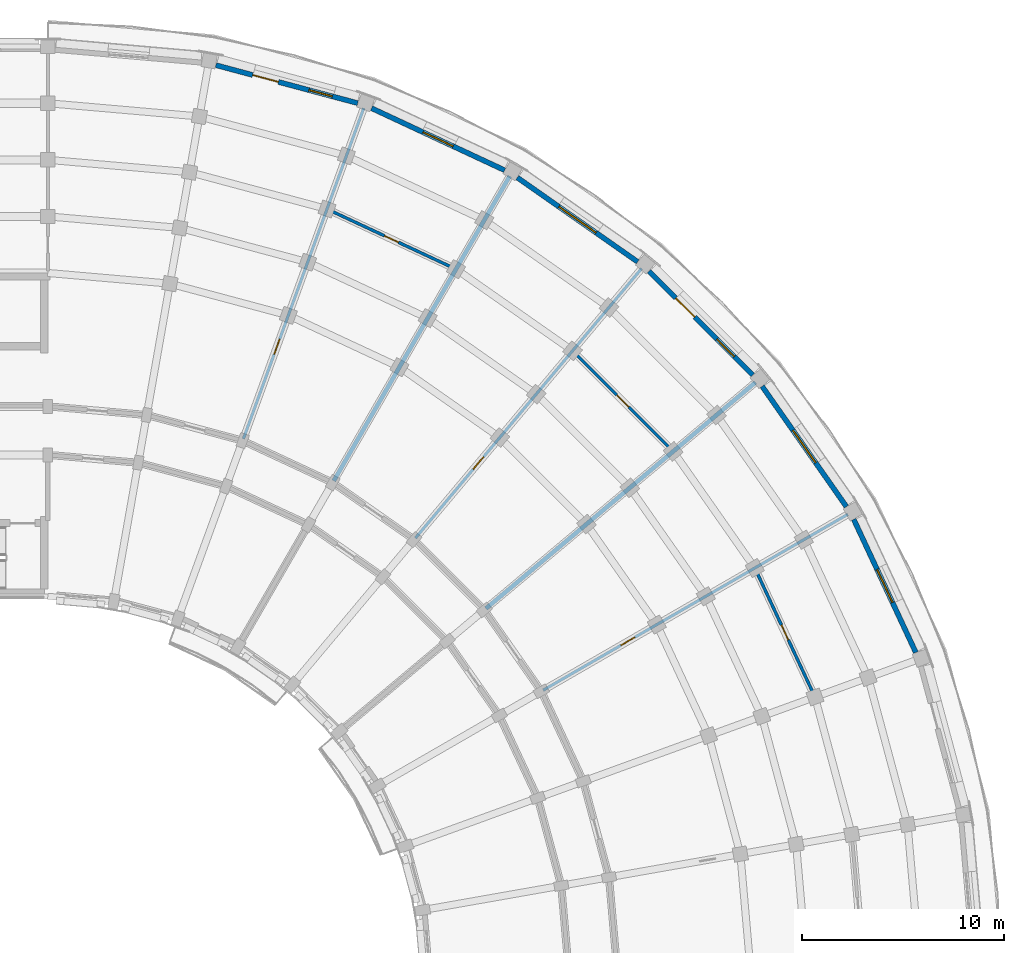
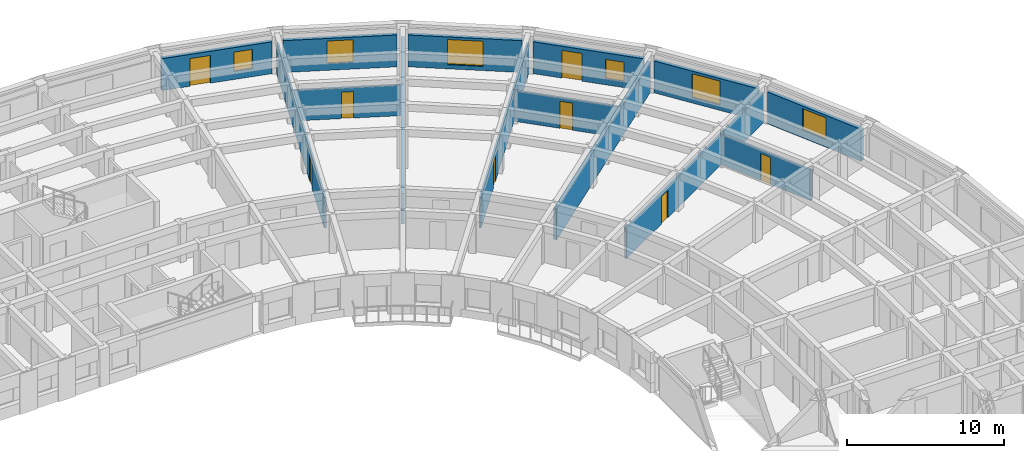
# One storey, part 36 of 57: 14 walls, 8 doors, 6 windows, 14 openings.
"""IFC4 building model written with IfcOpenShell, lengths in metres."""

from ifc_helpers import new_model, si_unit, direction, frame, frame_2d, origin, place, context, subcontext, project, spatial, rectangle, extrude, material, layer, layer_set, type_object, element, fill, save


model = new_model("IFC4")

# Units and contexts
model_context = context("Model", 3, precision=1e-05, world=origin(), true_north=direction((0.0, 1.0)))
body_context = subcontext(model_context, "Body", "Model", "MODEL_VIEW")
ifc_project = project(units=[si_unit("LENGTHUNIT", "METRE"), si_unit("AREAUNIT", "SQUARE_METRE"), si_unit("VOLUMEUNIT", "CUBIC_METRE"), si_unit("PLANEANGLEUNIT", "RADIAN"), si_unit("MASSUNIT", "GRAM", prefix="KILO")], contexts=[model_context])

# Site, building, storey
site_placement = place(None, origin())
site = spatial("IfcSite", under=ifc_project, at=site_placement, CompositionType="ELEMENT")
building_placement = place(site_placement, origin())
building = spatial("IfcBuilding", under=site, at=building_placement, Name="Kiranvali Square Residences", CompositionType="ELEMENT")
storey_placement = place(building_placement, frame((0.0, 0.0, 21.300048828125)))
storey = spatial("IfcBuildingStorey", under=building, at=storey_placement, Name="L06", CompositionType="ELEMENT", Elevation=21.300048828125)

# Walls
ifc_material_1 = material(Name="Autoclaved aerated concrete blockwork masonry", Category="masonry")
ifc_layer_1 = layer(ifc_material_1, 0.219970703125)
ifc_layer_set_1 = layer_set([ifc_layer_1], Name="Autoclaved aerated concrete blockwork masonry")
wall_type_1 = type_object("IfcWallType", Name="WL-DEM-220", PredefinedType="STANDARD", material=ifc_layer_set_1)
for number, where, z_axis, x_axis, name in (
    (1, (133.949951171875, 112.30859375, 0.0), (0.0, 0.0, 1.0), (0.499997843263, 0.866026648973, 0.0), "L06 architectural wall WL-L06-B-RADO-3"),
    (2, (141.47900390625, 105.990966796875, 0.0), (0.0, 0.0, 1.0), (0.766046835987, 0.642784757967, 0.0), "L06 architectural wall WL-L06-B-RADO-5"),
):
    element("IfcWall", number, at=place(storey_placement, frame(where, z_axis=z_axis, x_axis=x_axis)), inside=storey, type_object=wall_type_1, Name=name, PredefinedType="STANDARD", context=body_context, shape_type="SweptSolid", body=[
        extrude(rectangle(XDim=17.419921875, YDim=0.219970703125, at=frame_2d((8.7099609375, 0.0))), origin(), (0.0, 0.0, 1.0), 2.3720703125),
    ])

# Wall, openings, door, window
ifc_material_2 = material(Name="Breathable lime-rendered clay brick masonry", Category="masonry")
ifc_layer_2 = layer(ifc_material_2, 0.25)
ifc_layer_set_2 = layer_set([ifc_layer_2], Name="Breathable lime-rendered clay brick masonry")
wall_type_2 = type_object("IfcWallType", Name="WL-EXT-250", PredefinedType="STANDARD", material=ifc_layer_set_2)
wall_1_placement = place(storey_placement, frame((128.118408203125, 132.883056640625, 0.0), z_axis=(0.0, 0.0, 1.0), x_axis=(0.965930355787, -0.258802140196, 0.0)))
wall_1 = element("IfcWall", 3, at=wall_1_placement, inside=storey, type_object=wall_type_2, Name="L06 exterior wall B-L06-CRV-01", PredefinedType="STANDARD", context=body_context, shape_type="SweptSolid", body=[
    extrude(rectangle(XDim=7.2666015625, YDim=0.25, at=frame_2d((3.63330078125, 0.0))), origin(), (0.0, 0.0, 1.0), 2.471923828125),
])
opening_1_placement = place(wall_1_placement, frame((4.765625, 0.0, 0.6220703125)))
opening_1 = element("IfcOpeningElement", 4, at=opening_1_placement, cuts=wall_1, Name="Opening W-06", PredefinedType="OPENING", context=body_context, shape_type="SweptSolid", body=[
    extrude(rectangle(XDim=1.199951171875, YDim=1.5, at=frame_2d((0.60009765625, 0.75))), frame((0.0, 0.135009765625, 0.0), z_axis=(0.0, -1.0, 0.0), x_axis=(1.0, 0.0, 0.0)), (0.0, 0.0, 1.0), 0.27001953125),
])
opening_2_placement = place(wall_1_placement, frame((1.88330078125, 0.0, 0.0)))
opening_2 = element("IfcOpeningElement", 5, at=opening_2_placement, cuts=wall_1, Name="Opening ED-BAL-3", PredefinedType="OPENING", context=body_context, shape_type="SweptSolid", body=[
    extrude(rectangle(XDim=1.320068359375, YDim=2.14990234375, at=frame_2d((0.66015625, 1.074951171875))), frame((0.0, 0.135009765625, 0.0), z_axis=(0.0, -1.0, 0.0), x_axis=(1.0, 0.0, 0.0)), (0.0, 0.0, 1.0), 0.27001953125),
])
ifc_material_3 = material(Name="Anodised bronze aluminium framing", Category="aluminium")
door_type_1 = type_object("IfcDoorType", Name="DR-BAL-1320", OperationType="NOTDEFINED", PredefinedType="DOOR", material=ifc_material_3)
door_1_placement = place(opening_2_placement, origin())
door_1 = element("IfcDoor", 6, at=door_1_placement, inside=storey, type_object=door_type_1, Name="L06 balcony terrace door", OperationType="SINGLE_SWING_LEFT", OverallHeight=2.14990234375, OverallWidth=1.320068359375, PredefinedType="DOOR", context=body_context, shape_type="SweptSolid", body=[
    extrude(rectangle(XDim=1.320068359375, YDim=2.14990234375, at=frame_2d((0.66015625, 1.074951171875))), frame((0.0, 0.02490234375, 0.0), z_axis=(0.0, -1.0, 0.0), x_axis=(1.0, 0.0, 0.0)), (0.0, 0.0, 1.0), 0.050048828125),
])
fill(opening_2, door_1)
ifc_material_4 = material(Name="Solar-control low-e double glazing", Category="glass")
window_type_1 = type_object("IfcWindowType", Name="WIN-RES-1200x1500", PartitioningType="SINGLE_PANEL", PredefinedType="WINDOW", material=ifc_material_4)
window_1_placement = place(opening_1_placement, origin())
window_1 = element("IfcWindow", 7, at=window_1_placement, inside=storey, type_object=window_type_1, Name="L06 recessed window B-L06-CRV-01", OverallHeight=1.5, OverallWidth=1.199951171875, PartitioningType="SINGLE_PANEL", PredefinedType="WINDOW", context=body_context, shape_type="SweptSolid", body=[
    extrude(rectangle(XDim=1.199951171875, YDim=1.5, at=frame_2d((0.60009765625, 0.75))), frame((0.0, 0.030029296875, 0.0), z_axis=(0.0, -1.0, 0.0), x_axis=(1.0, 0.0, 0.0)), (0.0, 0.0, 1.0), 0.06005859375),
])
fill(opening_1, window_1)

# Wall, opening, window
wall_2_placement = place(storey_placement, frame((135.82080078125, 130.753662109375, 0.0), z_axis=(0.0, 0.0, 1.0), x_axis=(0.90630327107, -0.422627946127, 0.0)))
wall_2 = element("IfcWall", 8, at=wall_2_placement, inside=storey, type_object=wall_type_2, Name="L06 exterior wall B-L06-CRV-02", PredefinedType="STANDARD", context=body_context, shape_type="SweptSolid", body=[
    extrude(rectangle(XDim=7.2666015625, YDim=0.25, at=frame_2d((3.63330078125, 0.0))), origin(), (0.0, 0.0, 1.0), 2.471923828125),
])
opening_3_placement = place(wall_2_placement, frame((2.808349609375, 0.0, 0.52197265625)))
opening_3 = element("IfcOpeningElement", 9, at=opening_3_placement, cuts=wall_2, Name="Opening W-13", PredefinedType="OPENING", context=body_context, shape_type="SweptSolid", body=[
    extrude(rectangle(XDim=1.64990234375, YDim=1.75, at=frame_2d((0.824951171875, 0.875))), frame((0.0, 0.135009765625, 0.0), z_axis=(0.0, -1.0, 0.0), x_axis=(1.0, 0.0, 0.0)), (0.0, 0.0, 1.0), 0.27001953125),
])
window_type_2 = type_object("IfcWindowType", Name="WIN-RES-1650x1750", PartitioningType="DOUBLE_PANEL_VERTICAL", PredefinedType="WINDOW", material=ifc_material_4)
window_2_placement = place(opening_3_placement, origin())
window_2 = element("IfcWindow", 10, at=window_2_placement, inside=storey, type_object=window_type_2, Name="L06 recessed window B-L06-CRV-02", OverallHeight=1.75, OverallWidth=1.64990234375, PartitioningType="DOUBLE_PANEL_VERTICAL", PredefinedType="WINDOW", context=body_context, shape_type="SweptSolid", body=[
    extrude(rectangle(XDim=1.64990234375, YDim=1.75, at=frame_2d((0.824951171875, 0.875))), frame((0.0, 0.030029296875, 0.0), z_axis=(0.0, -1.0, 0.0), x_axis=(1.0, 0.0, 0.0)), (0.0, 0.0, 1.0), 0.06005859375),
])
fill(opening_3, window_2)

wall_3_placement = place(storey_placement, frame((143.0361328125, 127.319091796875, 0.0), z_axis=(0.0, 0.0, 1.0), x_axis=(0.819159308599, -0.573566061701, 0.0)))
wall_3 = element("IfcWall", 11, at=wall_3_placement, inside=storey, type_object=wall_type_2, Name="L06 exterior wall B-L06-CRV-03", PredefinedType="STANDARD", context=body_context, shape_type="SweptSolid", body=[
    extrude(rectangle(XDim=7.266845703125, YDim=0.25, at=frame_2d((3.63330078125, 0.0))), origin(), (0.0, 0.0, 1.0), 2.471923828125),
])
opening_4_placement = place(wall_3_placement, frame((2.50830078125, 0.0, 0.322021484375)))
opening_4 = element("IfcOpeningElement", 12, at=opening_4_placement, cuts=wall_3, Name="Opening W-11", PredefinedType="OPENING", context=body_context, shape_type="SweptSolid", body=[
    extrude(rectangle(XDim=2.25, YDim=1.949951171875, at=frame_2d((1.125, 0.97509765625))), frame((0.0, 0.135009765625, 0.0), z_axis=(0.0, -1.0, 0.0), x_axis=(1.0, 0.0, 0.0)), (0.0, 0.0, 1.0), 0.27001953125),
])
window_type_3 = type_object("IfcWindowType", Name="WIN-RES-2250x1950", PartitioningType="TRIPLE_PANEL_VERTICAL", PredefinedType="WINDOW", material=ifc_material_4)
window_3_placement = place(opening_4_placement, origin())
window_3 = element("IfcWindow", 13, at=window_3_placement, inside=storey, type_object=window_type_3, Name="L06 recessed window B-L06-CRV-03", OverallHeight=1.949951171875, OverallWidth=2.25, PartitioningType="TRIPLE_PANEL_VERTICAL", PredefinedType="WINDOW", context=body_context, shape_type="SweptSolid", body=[
    extrude(rectangle(XDim=2.25, YDim=1.949951171875, at=frame_2d((1.125, 0.97509765625))), frame((0.0, 0.030029296875, 0.0), z_axis=(0.0, -1.0, 0.0), x_axis=(1.0, 0.0, 0.0)), (0.0, 0.0, 1.0), 0.06005859375),
])
fill(opening_4, window_3)

# Wall, openings, door, window
wall_4_placement = place(storey_placement, frame((149.545654296875, 122.683837890625, 0.0), z_axis=(0.0, 0.0, 1.0), x_axis=(0.707106781187, -0.707106781187, 0.0)))
wall_4 = element("IfcWall", 14, at=wall_4_placement, inside=storey, type_object=wall_type_2, Name="L06 exterior wall B-L06-CRV-04", PredefinedType="STANDARD", context=body_context, shape_type="SweptSolid", body=[
    extrude(rectangle(XDim=7.2666015625, YDim=0.25, at=frame_2d((3.63330078125, 0.0))), origin(), (0.0, 0.0, 1.0), 2.471923828125),
])
opening_5_placement = place(wall_4_placement, frame((4.765625, 0.0, 0.471923828125)))
opening_5 = element("IfcOpeningElement", 15, at=opening_5_placement, cuts=wall_4, Name="Opening W-06", PredefinedType="OPENING", context=body_context, shape_type="SweptSolid", body=[
    extrude(rectangle(XDim=1.199951171875, YDim=1.5, at=frame_2d((0.60009765625, 0.75))), frame((0.0, 0.135009765625, 0.0), z_axis=(0.0, -1.0, 0.0), x_axis=(1.0, 0.0, 0.0)), (0.0, 0.0, 1.0), 0.27001953125),
])
opening_6_placement = place(wall_4_placement, frame((1.88330078125, 0.0, 0.0)))
opening_6 = element("IfcOpeningElement", 16, at=opening_6_placement, cuts=wall_4, Name="Opening ED-BAL-3", PredefinedType="OPENING", context=body_context, shape_type="SweptSolid", body=[
    extrude(rectangle(XDim=1.320068359375, YDim=2.14990234375, at=frame_2d((0.66015625, 1.074951171875))), frame((0.0, 0.135009765625, 0.0), z_axis=(0.0, -1.0, 0.0), x_axis=(1.0, 0.0, 0.0)), (0.0, 0.0, 1.0), 0.27001953125),
])
door_2_placement = place(opening_6_placement, origin())
door_2 = element("IfcDoor", 17, at=door_2_placement, inside=storey, type_object=door_type_1, Name="L06 balcony terrace door", OperationType="SINGLE_SWING_RIGHT", OverallHeight=2.14990234375, OverallWidth=1.320068359375, PredefinedType="DOOR", context=body_context, shape_type="SweptSolid", body=[
    extrude(rectangle(XDim=1.320068359375, YDim=2.14990234375, at=frame_2d((0.66015625, 1.074951171875))), frame((0.0, 0.02490234375, 0.0), z_axis=(0.0, -1.0, 0.0), x_axis=(1.0, 0.0, 0.0)), (0.0, 0.0, 1.0), 0.050048828125),
])
fill(opening_6, door_2)
window_4_placement = place(opening_5_placement, origin())
window_4 = element("IfcWindow", 18, at=window_4_placement, inside=storey, type_object=window_type_1, Name="L06 recessed window B-L06-CRV-04", OverallHeight=1.5, OverallWidth=1.199951171875, PartitioningType="SINGLE_PANEL", PredefinedType="WINDOW", context=body_context, shape_type="SweptSolid", body=[
    extrude(rectangle(XDim=1.199951171875, YDim=1.5, at=frame_2d((0.60009765625, 0.75))), frame((0.0, 0.030029296875, 0.0), z_axis=(0.0, -1.0, 0.0), x_axis=(1.0, 0.0, 0.0)), (0.0, 0.0, 1.0), 0.06005859375),
])
fill(opening_5, window_4)

# Wall, opening, window
wall_5_placement = place(storey_placement, frame((155.151123046875, 116.98876953125, 0.0), z_axis=(0.0, 0.0, 1.0), x_axis=(0.573566061701, -0.819159308599, 0.0)))
wall_5 = element("IfcWall", 19, at=wall_5_placement, inside=storey, type_object=wall_type_2, Name="L06 exterior wall B-L06-CRV-05", PredefinedType="STANDARD", context=body_context, shape_type="SweptSolid", body=[
    extrude(rectangle(XDim=7.266845703125, YDim=0.25, at=frame_2d((3.63330078125, 0.0))), origin(), (0.0, 0.0, 1.0), 2.471923828125),
])
opening_7_placement = place(wall_5_placement, frame((2.658447265625, 0.0, 0.422119140625)))
opening_7 = element("IfcOpeningElement", 20, at=opening_7_placement, cuts=wall_5, Name="Opening W-12", PredefinedType="OPENING", context=body_context, shape_type="SweptSolid", body=[
    extrude(rectangle(XDim=1.949951171875, YDim=1.85009765625, at=frame_2d((0.97509765625, 0.925048828125))), frame((0.0, 0.135009765625, 0.0), z_axis=(0.0, -1.0, 0.0), x_axis=(1.0, 0.0, 0.0)), (0.0, 0.0, 1.0), 0.27001953125),
])
window_type_4 = type_object("IfcWindowType", Name="WIN-RES-1950x1850", PartitioningType="DOUBLE_PANEL_VERTICAL", PredefinedType="WINDOW", material=ifc_material_4)
window_5_placement = place(opening_7_placement, origin())
window_5 = element("IfcWindow", 21, at=window_5_placement, inside=storey, type_object=window_type_4, Name="L06 recessed window B-L06-CRV-05", OverallHeight=1.85009765625, OverallWidth=1.949951171875, PartitioningType="DOUBLE_PANEL_VERTICAL", PredefinedType="WINDOW", context=body_context, shape_type="SweptSolid", body=[
    extrude(rectangle(XDim=1.949951171875, YDim=1.85009765625, at=frame_2d((0.97509765625, 0.925048828125))), frame((0.0, 0.030029296875, 0.0), z_axis=(0.0, -1.0, 0.0), x_axis=(1.0, 0.0, 0.0)), (0.0, 0.0, 1.0), 0.06005859375),
])
fill(opening_7, window_5)

wall_6_placement = place(storey_placement, frame((159.6826171875, 110.406494140625, 0.0), z_axis=(0.0, 0.0, 1.0), x_axis=(0.422627946127, -0.90630327107, 0.0)))
wall_6 = element("IfcWall", 22, at=wall_6_placement, inside=storey, type_object=wall_type_2, Name="L06 exterior wall B-L06-CRV-06", PredefinedType="STANDARD", context=body_context, shape_type="SweptSolid", body=[
    extrude(rectangle(XDim=7.2666015625, YDim=0.25, at=frame_2d((3.63330078125, 0.0))), origin(), (0.0, 0.0, 1.0), 2.471923828125),
])
opening_8_placement = place(wall_6_placement, frame((2.7333984375, 0.0, 0.6220703125)))
opening_8 = element("IfcOpeningElement", 23, at=opening_8_placement, cuts=wall_6, Name="Opening W-04", PredefinedType="OPENING", context=body_context, shape_type="SweptSolid", body=[
    extrude(rectangle(XDim=1.800048828125, YDim=1.64990234375, at=frame_2d((0.89990234375, 0.824951171875))), frame((0.0, 0.135009765625, 0.0), z_axis=(0.0, -1.0, 0.0), x_axis=(1.0, 0.0, 0.0)), (0.0, 0.0, 1.0), 0.27001953125),
])
window_type_5 = type_object("IfcWindowType", Name="WIN-RES-1800x1650", PartitioningType="DOUBLE_PANEL_VERTICAL", PredefinedType="WINDOW", material=ifc_material_4)
window_6_placement = place(opening_8_placement, origin())
window_6 = element("IfcWindow", 24, at=window_6_placement, inside=storey, type_object=window_type_5, Name="L06 recessed window B-L06-CRV-06", OverallHeight=1.64990234375, OverallWidth=1.800048828125, PartitioningType="DOUBLE_PANEL_VERTICAL", PredefinedType="WINDOW", context=body_context, shape_type="SweptSolid", body=[
    extrude(rectangle(XDim=1.800048828125, YDim=1.64990234375, at=frame_2d((0.89990234375, 0.824951171875))), frame((0.0, 0.030029296875, 0.0), z_axis=(0.0, -1.0, 0.0), x_axis=(1.0, 0.0, 0.0)), (0.0, 0.0, 1.0), 0.06005859375),
])
fill(opening_8, window_6)

# Wall, opening, door
ifc_material_5 = material(Name="Acoustic gypsum board drylined partition", Category="gypsum")
ifc_layer_3 = layer(ifc_material_5, 0.14990234375)
ifc_layer_set_3 = layer_set([ifc_layer_3], Name="Acoustic gypsum board drylined partition")
wall_type_3 = type_object("IfcWallType", Name="WL-PRT-150", PredefinedType="PARTITIONING", material=ifc_layer_set_3)
wall_7_placement = place(storey_placement, frame((129.479248046875, 114.393310546875, 0.0), z_axis=(0.0, 0.0, 1.0), x_axis=(0.342022120477, 0.939691901159, 0.0)))
wall_7 = element("IfcWall", 25, at=wall_7_placement, inside=storey, type_object=wall_type_3, Name="L06 architectural wall WL-L06-B-RADO-2", PredefinedType="PARTITIONING", context=body_context, shape_type="SweptSolid", body=[
    extrude(rectangle(XDim=17.419921875, YDim=0.14990234375, at=frame_2d((8.7099609375, 0.0))), origin(), (0.0, 0.0, 1.0), 2.3720703125),
])
opening_9_placement = place(wall_7_placement, frame((4.44970703125, 0.0, 0.0)))
opening_9 = element("IfcOpeningElement", 26, at=opening_9_placement, cuts=wall_7, Name="Opening ID-WET", PredefinedType="OPENING", context=body_context, shape_type="SweptSolid", body=[
    extrude(rectangle(XDim=0.800048828125, YDim=2.10009765625, at=frame_2d((0.39990234375, 1.050048828125))), frame((0.0, 0.0849609375, 0.0), z_axis=(0.0, -1.0, 0.0), x_axis=(1.0, 0.0, 0.0)), (0.0, 0.0, 1.0), 0.169921875),
])
ifc_material_6 = material(Name="Solid seasoned teak hardwood joinery", Category="wood")
door_type_2 = type_object("IfcDoorType", Name="DR-WET-800", OperationType="NOTDEFINED", PredefinedType="DOOR", material=ifc_material_6)
door_3_placement = place(opening_9_placement, frame((0.800048828125, 0.0, 0.0), z_axis=(0.0, 0.0, 1.0), x_axis=(-1.0, 0.0, 0.0)))
door_3 = element("IfcDoor", 27, at=door_3_placement, inside=storey, type_object=door_type_2, Name="L06 door DR-L06-1354 (DR-WET-800)", OperationType="SINGLE_SWING_RIGHT", OverallHeight=2.10009765625, OverallWidth=0.800048828125, PredefinedType="DOOR", context=body_context, shape_type="SweptSolid", body=[
    extrude(rectangle(XDim=0.800048828125, YDim=2.10009765625, at=frame_2d((0.39990234375, 1.050048828125))), frame((0.0, 0.02490234375, 0.0), z_axis=(0.0, -1.0, 0.0), x_axis=(1.0, 0.0, 0.0)), (0.0, 0.0, 1.0), 0.050048828125),
])
fill(opening_9, door_3)

wall_8_placement = place(storey_placement, frame((137.990966796875, 109.47900390625, 0.0), z_axis=(0.0, 0.0, 1.0), x_axis=(0.642784757967, 0.766046835987, 0.0)))
wall_8 = element("IfcWall", 28, at=wall_8_placement, inside=storey, type_object=wall_type_3, Name="L06 architectural wall WL-L06-B-RADO-4", PredefinedType="PARTITIONING", context=body_context, shape_type="SweptSolid", body=[
    extrude(rectangle(XDim=17.419921875, YDim=0.14990234375, at=frame_2d((8.7099609375, 0.0))), origin(), (0.0, 0.0, 1.0), 2.3720703125),
])
opening_10_placement = place(wall_8_placement, frame((4.44970703125, 0.0, 0.0)))
opening_10 = element("IfcOpeningElement", 29, at=opening_10_placement, cuts=wall_8, Name="Opening ID-WET", PredefinedType="OPENING", context=body_context, shape_type="SweptSolid", body=[
    extrude(rectangle(XDim=0.800048828125, YDim=2.10009765625, at=frame_2d((0.39990234375, 1.050048828125))), frame((0.0, 0.0849609375, 0.0), z_axis=(0.0, -1.0, 0.0), x_axis=(1.0, 0.0, 0.0)), (0.0, 0.0, 1.0), 0.169921875),
])
door_4_placement = place(opening_10_placement, origin())
door_4 = element("IfcDoor", 30, at=door_4_placement, inside=storey, type_object=door_type_2, Name="L06 door DR-L06-1355 (DR-WET-800)", OperationType="SINGLE_SWING_LEFT", OverallHeight=2.10009765625, OverallWidth=0.800048828125, PredefinedType="DOOR", context=body_context, shape_type="SweptSolid", body=[
    extrude(rectangle(XDim=0.800048828125, YDim=2.10009765625, at=frame_2d((0.39990234375, 1.050048828125))), frame((0.0, 0.02490234375, 0.0), z_axis=(0.0, -1.0, 0.0), x_axis=(1.0, 0.0, 0.0)), (0.0, 0.0, 1.0), 0.050048828125),
])
fill(opening_10, door_4)

wall_9_placement = place(storey_placement, frame((144.30859375, 101.949951171875, 0.0), z_axis=(0.0, 0.0, 1.0), x_axis=(0.866026648973, 0.499997843263, 0.0)))
wall_9 = element("IfcWall", 31, at=wall_9_placement, inside=storey, type_object=wall_type_3, Name="L06 architectural wall WL-L06-B-RADO-6", PredefinedType="PARTITIONING", context=body_context, shape_type="SweptSolid", body=[
    extrude(rectangle(XDim=17.419921875, YDim=0.14990234375, at=frame_2d((8.7099609375, 0.0))), origin(), (0.0, 0.0, 1.0), 2.3720703125),
])
opening_11_placement = place(wall_9_placement, frame((4.44970703125, 0.0, 0.0)))
opening_11 = element("IfcOpeningElement", 32, at=opening_11_placement, cuts=wall_9, Name="Opening ID-WET", PredefinedType="OPENING", context=body_context, shape_type="SweptSolid", body=[
    extrude(rectangle(XDim=0.800048828125, YDim=2.10009765625, at=frame_2d((0.39990234375, 1.050048828125))), frame((0.0, 0.0849609375, 0.0), z_axis=(0.0, -1.0, 0.0), x_axis=(1.0, 0.0, 0.0)), (0.0, 0.0, 1.0), 0.169921875),
])
door_5_placement = place(opening_11_placement, frame((0.800048828125, 0.0, 0.0), z_axis=(0.0, 0.0, 1.0), x_axis=(-1.0, 0.0, 0.0)))
door_5 = element("IfcDoor", 33, at=door_5_placement, inside=storey, type_object=door_type_2, Name="L06 door DR-L06-1356 (DR-WET-800)", OperationType="SINGLE_SWING_RIGHT", OverallHeight=2.10009765625, OverallWidth=0.800048828125, PredefinedType="DOOR", context=body_context, shape_type="SweptSolid", body=[
    extrude(rectangle(XDim=0.800048828125, YDim=2.10009765625, at=frame_2d((0.39990234375, 1.050048828125))), frame((0.0, 0.02490234375, 0.0), z_axis=(0.0, -1.0, 0.0), x_axis=(1.0, 0.0, 0.0)), (0.0, 0.0, 1.0), 0.050048828125),
])
fill(opening_11, door_5)

ifc_layer_4 = layer(ifc_material_1, 0.14990234375)
ifc_layer_set_4 = layer_set([ifc_layer_4], Name="Autoclaved aerated concrete blockwork masonry")
wall_type_4 = type_object("IfcWallType", Name="WL-WET-150", PredefinedType="PLUMBINGWALL", material=ifc_layer_set_4)
wall_10_placement = place(storey_placement, frame((133.61767578125, 125.763671875, 0.0), z_axis=(0.0, 0.0, 1.0), x_axis=(0.906297360311, -0.422640621205, 0.0)))
wall_10 = element("IfcWall", 34, at=wall_10_placement, inside=storey, type_object=wall_type_4, Name="L06 architectural wall WL-L06-B-CWET-2", PredefinedType="PLUMBINGWALL", context=body_context, shape_type="SweptSolid", body=[
    extrude(rectangle(XDim=7.042236328125, YDim=0.14990234375, at=frame_2d((3.52099609375, 0.0))), origin(), (0.0, 0.0, 1.0), 2.3720703125),
])
opening_12_placement = place(wall_10_placement, frame((3.14111328125, 0.0, 0.0)))
opening_12 = element("IfcOpeningElement", 35, at=opening_12_placement, cuts=wall_10, Name="Opening ID-WET0", PredefinedType="OPENING", context=body_context, shape_type="SweptSolid", body=[
    extrude(rectangle(XDim=0.760009765625, YDim=2.050048828125, at=frame_2d((0.3798828125, 1.02490234375))), frame((0.0, 0.0849609375, 0.0), z_axis=(0.0, -1.0, 0.0), x_axis=(1.0, 0.0, 0.0)), (0.0, 0.0, 1.0), 0.169921875),
])
door_type_3 = type_object("IfcDoorType", Name="DR-WET-760", OperationType="NOTDEFINED", PredefinedType="DOOR", material=ifc_material_6)
door_6_placement = place(opening_12_placement, frame((0.760009765625, 0.0, 0.0), z_axis=(0.0, 0.0, 1.0), x_axis=(-1.0, 0.0, 0.0)))
door_6 = element("IfcDoor", 36, at=door_6_placement, inside=storey, type_object=door_type_3, Name="L06 door DR-L06-1360 (DR-WET-760)", OperationType="SINGLE_SWING_RIGHT", OverallHeight=2.050048828125, OverallWidth=0.760009765625, PredefinedType="DOOR", context=body_context, shape_type="SweptSolid", body=[
    extrude(rectangle(XDim=0.760009765625, YDim=2.050048828125, at=frame_2d((0.3798828125, 1.02490234375))), frame((0.0, 0.02490234375, 0.0), z_axis=(0.0, -1.0, 0.0), x_axis=(1.0, 0.0, 0.0)), (0.0, 0.0, 1.0), 0.050048828125),
])
fill(opening_12, door_6)

wall_11_placement = place(storey_placement, frame((145.7685546875, 118.748291015625, 0.0), z_axis=(0.0, 0.0, 1.0), x_axis=(0.707106781187, -0.707106781187, 0.0)))
wall_11 = element("IfcWall", 37, at=wall_11_placement, inside=storey, type_object=wall_type_4, Name="L06 architectural wall WL-L06-B-CWET-4", PredefinedType="PLUMBINGWALL", context=body_context, shape_type="SweptSolid", body=[
    extrude(rectangle(XDim=7.04248046875, YDim=0.14990234375, at=frame_2d((3.521240234375, 0.0))), origin(), (0.0, 0.0, 1.0), 2.3720703125),
])
opening_13_placement = place(wall_11_placement, frame((3.10107421875, 0.0, 0.0)))
opening_13 = element("IfcOpeningElement", 38, at=opening_13_placement, cuts=wall_11, Name="Opening ID-WET2", PredefinedType="OPENING", context=body_context, shape_type="SweptSolid", body=[
    extrude(rectangle(XDim=0.840087890625, YDim=2.10009765625, at=frame_2d((0.419921875, 1.050048828125))), frame((0.0, 0.0849609375, 0.0), z_axis=(0.0, -1.0, 0.0), x_axis=(1.0, 0.0, 0.0)), (0.0, 0.0, 1.0), 0.169921875),
])
door_type_4 = type_object("IfcDoorType", Name="DR-WET-840", OperationType="NOTDEFINED", PredefinedType="DOOR", material=ifc_material_6)
door_7_placement = place(opening_13_placement, frame((0.840087890625, 0.0, 0.0), z_axis=(0.0, 0.0, 1.0), x_axis=(-1.0, 0.0, 0.0)))
door_7 = element("IfcDoor", 39, at=door_7_placement, inside=storey, type_object=door_type_4, Name="L06 door DR-L06-1362 (DR-WET-840)", OperationType="SINGLE_SWING_RIGHT", OverallHeight=2.10009765625, OverallWidth=0.840087890625, PredefinedType="DOOR", context=body_context, shape_type="SweptSolid", body=[
    extrude(rectangle(XDim=0.840087890625, YDim=2.10009765625, at=frame_2d((0.419921875, 1.050048828125))), frame((0.0, 0.02490234375, 0.0), z_axis=(0.0, -1.0, 0.0), x_axis=(1.0, 0.0, 0.0)), (0.0, 0.0, 1.0), 0.050048828125),
])
fill(opening_13, door_7)

wall_12_placement = place(storey_placement, frame((154.787353515625, 108.0, 0.0), z_axis=(0.0, 0.0, 1.0), x_axis=(0.422640621205, -0.906297360311, 0.0)))
wall_12 = element("IfcWall", 40, at=wall_12_placement, inside=storey, type_object=wall_type_4, Name="L06 architectural wall WL-L06-B-CWET-6", PredefinedType="PLUMBINGWALL", context=body_context, shape_type="SweptSolid", body=[
    extrude(rectangle(XDim=7.042236328125, YDim=0.14990234375, at=frame_2d((3.52099609375, 0.0))), origin(), (0.0, 0.0, 1.0), 2.3720703125),
])
opening_14_placement = place(wall_12_placement, frame((3.12109375, 0.0, 0.0)))
opening_14 = element("IfcOpeningElement", 41, at=opening_14_placement, cuts=wall_12, Name="Opening ID-WET", PredefinedType="OPENING", context=body_context, shape_type="SweptSolid", body=[
    extrude(rectangle(XDim=0.800048828125, YDim=2.10009765625, at=frame_2d((0.39990234375, 1.050048828125))), frame((0.0, 0.0849609375, 0.0), z_axis=(0.0, -1.0, 0.0), x_axis=(1.0, 0.0, 0.0)), (0.0, 0.0, 1.0), 0.169921875),
])
door_8_placement = place(opening_14_placement, frame((0.800048828125, 0.0, 0.0), z_axis=(0.0, 0.0, 1.0), x_axis=(-1.0, 0.0, 0.0)))
door_8 = element("IfcDoor", 42, at=door_8_placement, inside=storey, type_object=door_type_2, Name="L06 door DR-L06-1364 (DR-WET-800)", OperationType="SINGLE_SWING_RIGHT", OverallHeight=2.10009765625, OverallWidth=0.800048828125, PredefinedType="DOOR", context=body_context, shape_type="SweptSolid", body=[
    extrude(rectangle(XDim=0.800048828125, YDim=2.10009765625, at=frame_2d((0.39990234375, 1.050048828125))), frame((0.0, 0.02490234375, 0.0), z_axis=(0.0, -1.0, 0.0), x_axis=(1.0, 0.0, 0.0)), (0.0, 0.0, 1.0), 0.050048828125),
])
fill(opening_14, door_8)

save(model, "model.ifc")
